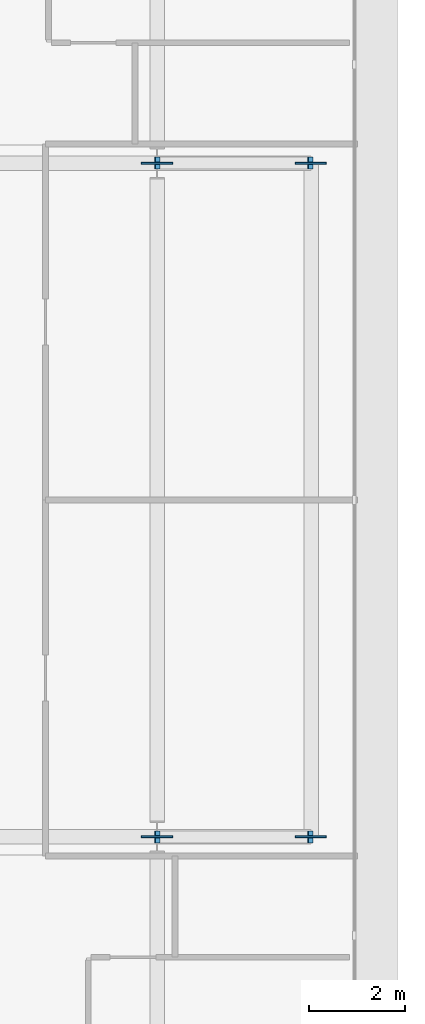
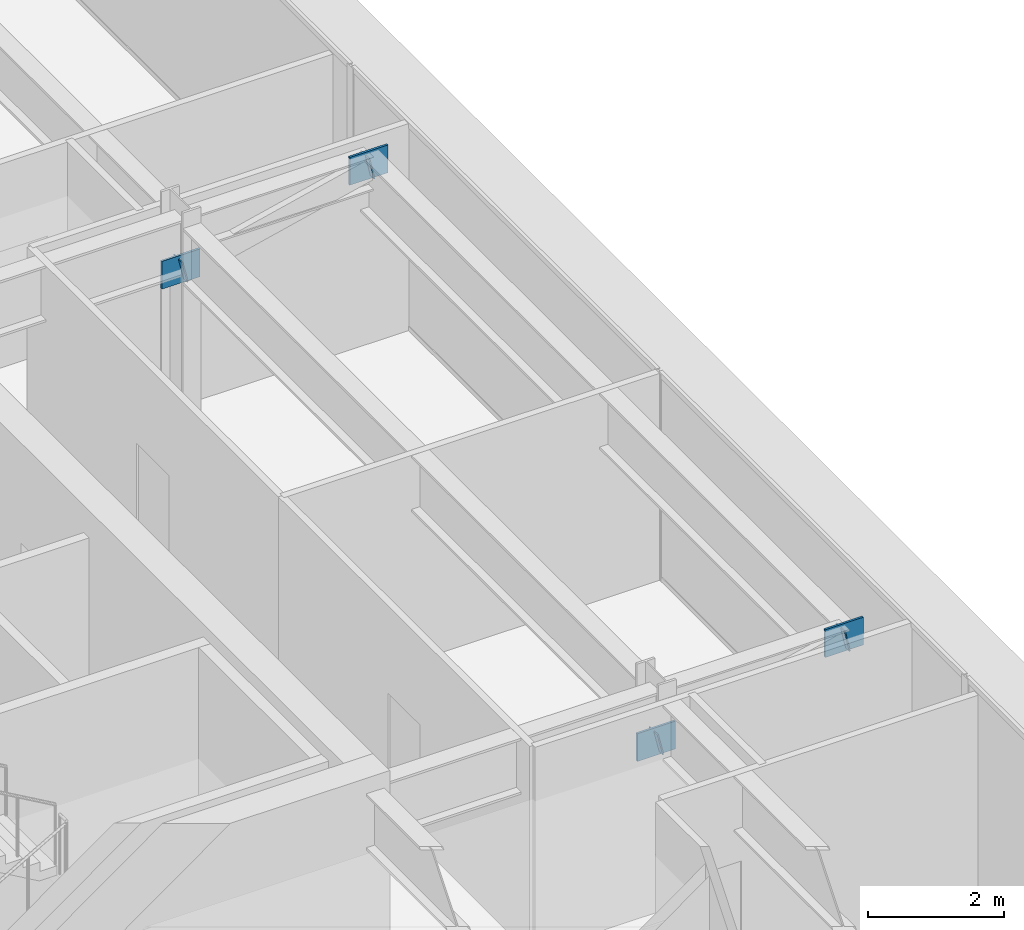
# One storey, part 12 of 20: 8 plates.
"""IFC4 building model written with IfcOpenShell, lengths in metres."""

from ifc_helpers import new_model, si_unit, direction, frame, origin, origin_2d, place, context, subcontext, project, spatial, rectangle, extrude, material, layer, layer_set, type_object, element, save


model = new_model("IFC4")

# Units and contexts
model_context = context("Model", 3, precision=1e-05, world=origin(), true_north=direction((0.0, 1.0)))
body_context = subcontext(model_context, "Body", "Model", "MODEL_VIEW")
ifc_project = project(units=[si_unit("LENGTHUNIT", "METRE"), si_unit("AREAUNIT", "SQUARE_METRE"), si_unit("VOLUMEUNIT", "CUBIC_METRE"), si_unit("PLANEANGLEUNIT", "RADIAN"), si_unit("MASSUNIT", "GRAM", prefix="KILO")], contexts=[model_context])

# Site, building, storey
site_placement = place(None, origin())
site = spatial("IfcSite", under=ifc_project, at=site_placement, CompositionType="ELEMENT")
building_placement = place(site_placement, origin())
building = spatial("IfcBuilding", under=site, at=building_placement, Name="Putna Gate Headquarters", CompositionType="ELEMENT")
storey_placement = place(building_placement, frame((0.0, 0.0, 306.39990234375)))
storey = spatial("IfcBuildingStorey", under=building, at=storey_placement, Name="L77", CompositionType="ELEMENT", Elevation=306.39990234375)

# Plates
ifc_material_1 = material(Name="Steel S355J2", Category="steel")
ifc_layer_1 = layer(ifc_material_1, 0.02001953125)
ifc_layer_set_1 = layer_set([ifc_layer_1], Name="Steel S355J2")
plate_type_1 = type_object("IfcPlateType", Name="PLT-CAP-EC-R400", PredefinedType="SHEET", material=ifc_layer_set_1)
for number, where, z_axis, x_axis, name in (
    (1, (69.9150390625, 19.0, 2.75), (0.97293655072, 0.0, 0.231072430796), (0.0, 1.0, 0.0), "L77 East Sail Cantilever Raker Y19 End Cap Start"),
    (2, (73.090576171875, 19.0, 3.49560546875), (0.975609756098, 0.0, 0.219512195122), (0.0, 1.0, 0.0), "L77 East Sail Cantilever Raker Y19 End Cap End"),
    (3, (69.9150390625, 33.0, 2.75), (0.97293655072, 0.0, 0.231072430796), (0.0, 1.0, 0.0), "L77 East Sail Cantilever Raker Y33 End Cap Start"),
    (4, (73.090576171875, 33.0, 3.49560546875), (0.975609756098, 0.0, 0.219512195122), (0.0, 1.0, 0.0), "L77 East Sail Cantilever Raker Y33 End Cap End"),
):
    element("IfcPlate", number, at=place(storey_placement, frame(where, z_axis=z_axis, x_axis=x_axis)), inside=storey, type_object=plate_type_1, Name=name, PredefinedType="SHEET", context=body_context, shape_type="SweptSolid", body=[
        extrude(rectangle(XDim=0.25, YDim=0.39990234375, at=origin_2d()), origin(), (0.0, 0.0, 1.0), 0.02001953125),
    ])
ifc_material_2 = material(Name="Steel S460M", Category="steel")
ifc_layer_2 = layer(ifc_material_2, 0.0380859375)
ifc_layer_set_2 = layer_set([ifc_layer_2], Name="Steel S460M")
plate_type_2 = type_object("IfcPlateType", Name="PLT-NODE-TN1", PredefinedType="SHEET", material=ifc_layer_set_2)
for number, where, z_axis, x_axis, name in (
    (5, (69.9150390625, 19.0, 2.5), (0.0, 0.0, 1.0), (1.0, 0.0, 0.0), "L77 Sail Raker Node Plate TN1 Y19-1"),
    (6, (73.110107421875, 19.0, 3.25), (0.0, 0.0, 1.0), (1.0, 0.0, 0.0), "L77 Sail Raker Node Plate TN1 Y19-2"),
    (7, (69.9150390625, 33.0, 2.5), (0.0, 0.0, 1.0), (1.0, 0.0, 0.0), "L77 Sail Raker Node Plate TN1 Y33-1"),
    (8, (73.110107421875, 33.0, 3.25), (0.0, 0.0, 1.0), (1.0, 0.0, 0.0), "L77 Sail Raker Node Plate TN1 Y33-2"),
):
    element("IfcPlate", number, at=place(storey_placement, frame(where, z_axis=z_axis, x_axis=x_axis)), inside=storey, type_object=plate_type_2, Name=name, PredefinedType="SHEET", context=body_context, shape_type="SweptSolid", body=[
        extrude(rectangle(XDim=0.64990234375, YDim=0.0380859375, at=origin_2d()), origin(), (0.0, 0.0, 1.0), 0.5),
    ])

save(model, "model.ifc")
